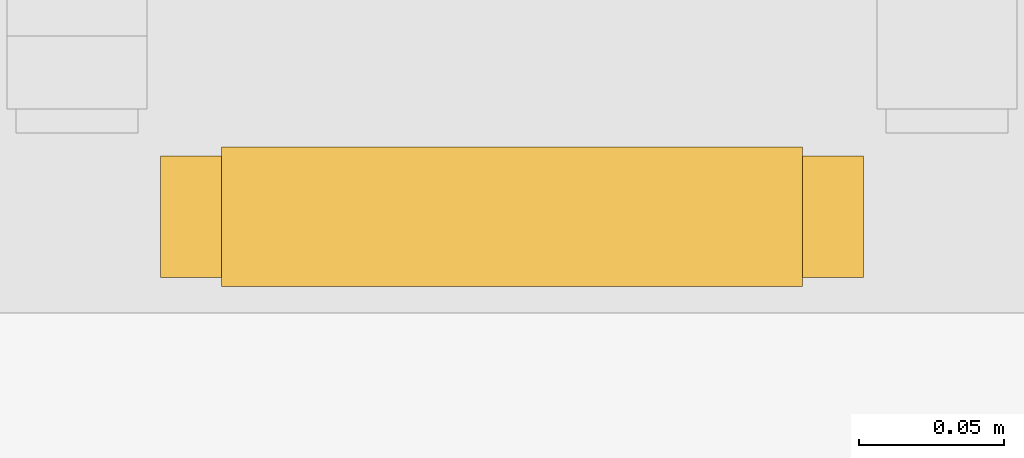
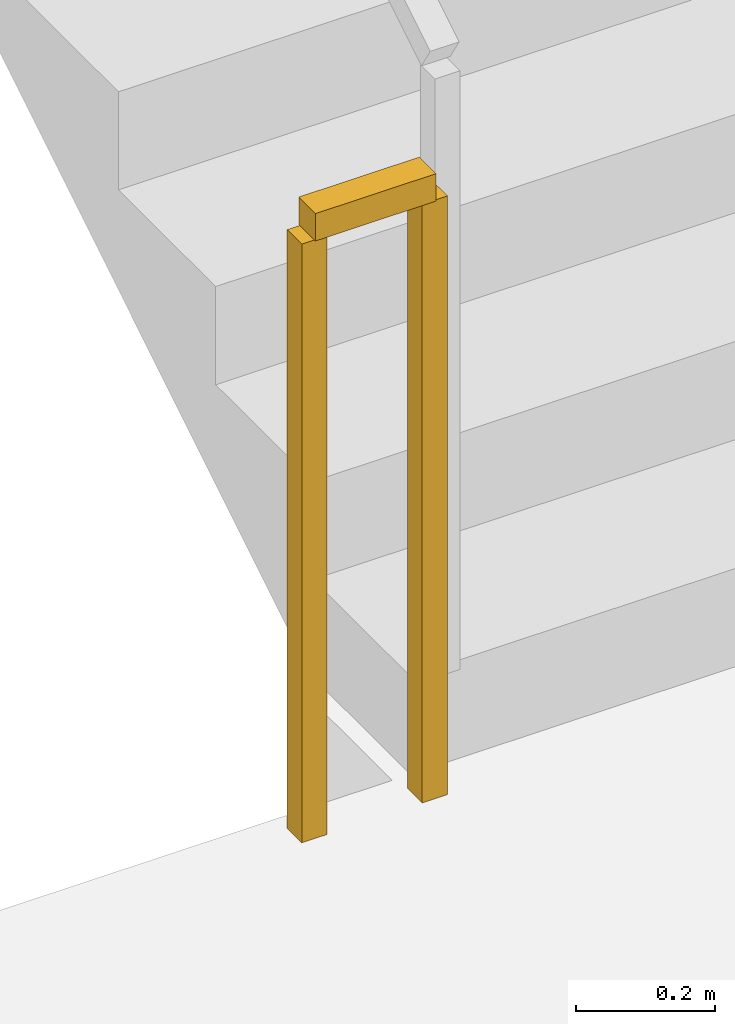
# One storey, part 8 of 11: 1 railing.
"""IFC4 building model written with IfcOpenShell, lengths in metres."""

from ifc_helpers import new_model, si_unit, direction, frame, origin, origin_2d, place, context, subcontext, project, spatial, rectangle, extrude, material, type_object, element, save


model = new_model("IFC4")

# Units and contexts
model_context = context("Model", 3, precision=1e-05, world=origin(), true_north=direction((0.0, 1.0)))
body_context = subcontext(model_context, "Body", "Model", "MODEL_VIEW")
ifc_project = project(units=[si_unit("LENGTHUNIT", "METRE"), si_unit("AREAUNIT", "SQUARE_METRE"), si_unit("VOLUMEUNIT", "CUBIC_METRE"), si_unit("PLANEANGLEUNIT", "RADIAN"), si_unit("MASSUNIT", "GRAM", prefix="KILO")], contexts=[model_context])

# Site, building, storey
site_placement = place(None, origin())
site = spatial("IfcSite", under=ifc_project, at=site_placement, CompositionType="ELEMENT")
building_placement = place(site_placement, origin())
building = spatial("IfcBuilding", under=site, at=building_placement, Name="Haldorwick Loom Tower", CompositionType="ELEMENT")
storey_placement = place(building_placement, frame((0.0, 0.0, 204.85009765625)))
storey = spatial("IfcBuildingStorey", under=building, at=storey_placement, Name="L55", CompositionType="ELEMENT", Elevation=204.85009765625)

# Railing
ifc_material = material(Name="Steel CSA G40.21 350W", Category="steel")
railing_type = type_object("IfcRailingType", Name="ARC-RLG-GUARD112", PredefinedType="GUARDRAIL", material=ifc_material)
railing_placement = place(storey_placement, frame((31.85009765625, 28.35009765625, 0.0)))
element("IfcRailing", 1, at=railing_placement, inside=storey, type_object=railing_type, Name="L55 ST-03 stair guard 4", PredefinedType="GUARDRAIL", context=body_context, shape_type="SweptSolid", body=[
    extrude(rectangle(XDim=0.048095703125, YDim=0.048095703125, at=origin_2d()), frame((0.0, 0.0, 1.076171875), z_axis=(-1.0, 0.0, 0.0), x_axis=(0.0, -1.0, 0.0)), (0.0, 0.0, 1.0), 0.2001953125),
    extrude(rectangle(XDim=0.0419921875, YDim=0.0419921875, at=origin_2d()), origin(), (0.0, 0.0, 1.0), 1.052001953125),
    extrude(rectangle(XDim=0.0419921875, YDim=0.0419921875, at=origin_2d()), frame((-0.2001953125, 0.0, 0.0)), (0.0, 0.0, 1.0), 1.052001953125),
])

save(model, "model.ifc")
